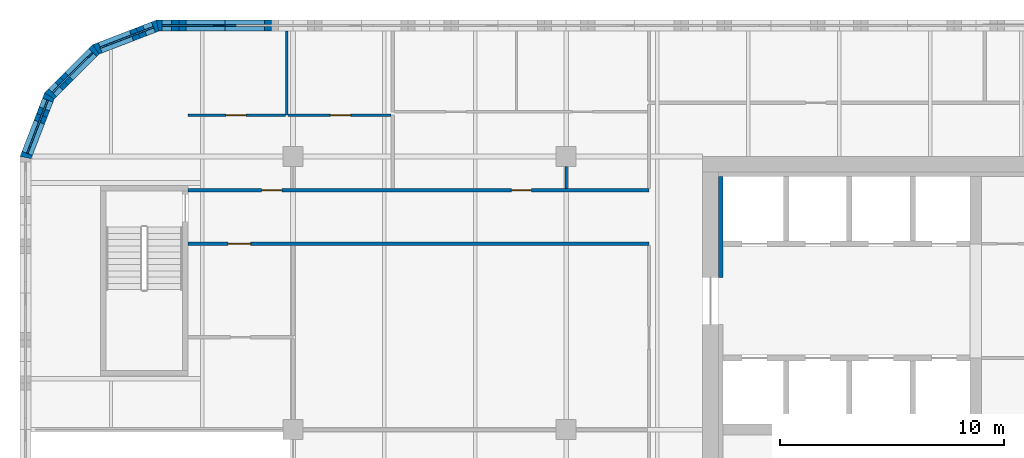
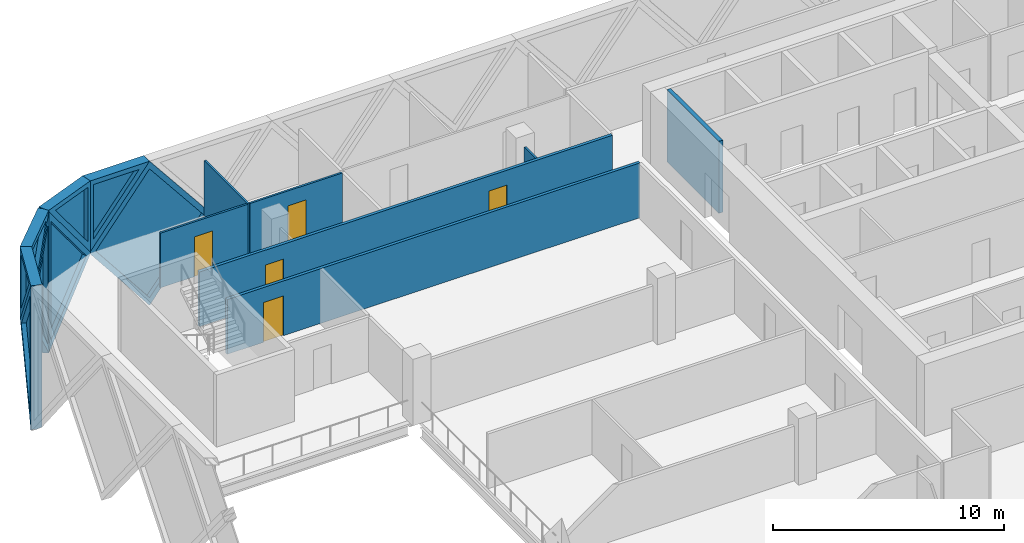
# One storey, part 10 of 15: 15 walls, 8 plates, 5 doors, 13 openings.
"""IFC4 building model written with IfcOpenShell, lengths in metres."""

import ifcopenshell
import ifcopenshell.guid

model = None  # the IFC model being written
_history = None  # IfcOwnerHistory: only IFC2X3 demands one
_inside = {}  # id of a spatial element -> (the spatial element, [elements in it])
_under = {}  # id of a project, library or spatial element -> (it, [spatial elements below it])
_declared = {}  # id of a project -> (the project, [libraries it declares])
_typed = {}  # id of a type object -> (the type object, [elements of that type])
_made_of = {}  # id of a material, layer set ... -> (it, [elements and type objects made of it])


def new_model(schema):
    """Start an empty IFC model of exactly this schema.

    Asked for "IFC4X3", IfcOpenShell would pick the latest addendum, in which some entities
    have other attributes; the version numbers below select the first issue.
    IFC2X3 requires an IfcOwnerHistory on every rooted entity: one is made here for all.
    """
    global model, _history
    if schema == "IFC4X3":
        model = ifcopenshell.file(schema_version=(4, 3, 0, 0))
    else:
        model = ifcopenshell.file(schema=schema)
    _inside.clear()
    _under.clear()
    _declared.clear()
    _typed.clear()
    _made_of.clear()
    _history = None
    if model.schema == "IFC2X3":
        org = make("IfcOrganization", Name="unknown")
        user = make(
            "IfcPersonAndOrganization",
            ThePerson=make("IfcPerson", FamilyName="unknown"),
            TheOrganization=org,
        )
        app = make(
            "IfcApplication",
            ApplicationDeveloper=org,
            Version="unknown",
            ApplicationFullName="unknown",
            ApplicationIdentifier="unknown",
        )
        _history = make(
            "IfcOwnerHistory",
            OwningUser=user,
            OwningApplication=app,
            ChangeAction="ADDED",
            CreationDate=0,
        )
    return model


def make(cls, **values):
    """One entity of the class cls with the attributes given. An attribute that is None is left unset."""
    return model.create_entity(
        cls, **{name: value for name, value in values.items() if value is not None}
    )


def rooted(cls, **values):
    """An entity with a GlobalId (a new one), such as an element, a storey or a relation."""
    return make(cls, GlobalId=ifcopenshell.guid.new(), OwnerHistory=_history, **values)


def si_unit(unit_type, name, prefix=None):
    """IfcSIUnit, for example si_unit("LENGTHUNIT", "METRE", prefix="MILLI")."""
    return make("IfcSIUnit", UnitType=unit_type, Prefix=prefix, Name=name)


def assignment(units):
    """IfcUnitAssignment: the units of a project."""
    return None if units is None else make("IfcUnitAssignment", Units=units)


def point(xyz):
    """IfcCartesianPoint."""
    return None if xyz is None else make("IfcCartesianPoint", Coordinates=xyz)


def direction(xyz):
    """IfcDirection."""
    return None if xyz is None else make("IfcDirection", DirectionRatios=xyz)


def frame(location, z_axis=None, x_axis=None):
    """IfcAxis2Placement3D, a coordinate frame: its origin and axes. An axis left out is left unset."""
    return make(
        "IfcAxis2Placement3D",
        Location=point(location),
        Axis=direction(z_axis),
        RefDirection=direction(x_axis),
    )


def frame_2d(location, x_axis=None):
    """IfcAxis2Placement2D, a coordinate frame in the plane: its origin and x axis."""
    return make(
        "IfcAxis2Placement2D", Location=point(location), RefDirection=direction(x_axis)
    )


def origin():
    """The frame at (0, 0, 0) with its axes left unset."""
    return frame((0.0, 0.0, 0.0))


def place(relative_to, where):
    """IfcLocalPlacement: puts the frame where relative to a parent placement (None: the world)."""
    return make(
        "IfcLocalPlacement", PlacementRelTo=relative_to, RelativePlacement=where
    )


def context(
    kind, dimensions, precision=None, world=None, true_north=None, identifier=None
):
    """IfcGeometricRepresentationContext, for example the 3D "Model" context."""
    return make(
        "IfcGeometricRepresentationContext",
        ContextIdentifier=identifier,
        ContextType=kind,
        CoordinateSpaceDimension=dimensions,
        Precision=precision,
        WorldCoordinateSystem=world,
        TrueNorth=true_north,
    )


def subcontext(parent, identifier, kind, view, scale=None):
    """IfcGeometricRepresentationSubContext, for example "Body" below "Model"."""
    return make(
        "IfcGeometricRepresentationSubContext",
        ContextIdentifier=identifier,
        ContextType=kind,
        ParentContext=parent,
        TargetScale=scale,
        TargetView=view,
    )


def project(units=None, contexts=None):
    """IfcProject with its units and contexts."""
    return rooted(
        "IfcProject",
        Name="project",
        RepresentationContexts=contexts,
        UnitsInContext=assignment(units),
    )


def spatial(cls, under=None, at=None, **own):
    """A site, building, storey or space (cls), placed at a placement, below another one or the project."""
    s = rooted(cls, ObjectPlacement=at, **own)
    if under is not None:
        _under.setdefault(under.id(), (under, []))[1].append(s)
    return s


def polyline(points):
    """IfcPolyline through the points."""
    return make("IfcPolyline", Points=[point(p) for p in points])


def profile(cls, at=None, kind="AREA", **sizes):
    """A parametric profile (cls). Its sizes go by their IFC names, for example OverallWidth=200.0."""
    return make(cls, ProfileType=kind, Position=at, **sizes)


def rectangle(**sizes):
    """IfcRectangleProfileDef."""
    return profile("IfcRectangleProfileDef", **sizes)


def outline(outer, holes=None, kind="AREA"):
    """IfcArbitraryClosedProfileDef: a profile drawn as a closed curve; with holes, ...WithVoids."""
    if holes is None:
        return make("IfcArbitraryClosedProfileDef", ProfileType=kind, OuterCurve=outer)
    return make(
        "IfcArbitraryProfileDefWithVoids",
        ProfileType=kind,
        OuterCurve=outer,
        InnerCurves=holes,
    )


def extrude(swept, where, along, depth):
    """IfcExtrudedAreaSolid: the profile swept, set in the frame where, extruded along a direction by depth."""
    return make(
        "IfcExtrudedAreaSolid",
        SweptArea=swept,
        Position=where,
        ExtrudedDirection=direction(along),
        Depth=depth,
    )


def faces_of(points, faces, orient=None, outer=None):
    """IfcFace entities. A face is a list of loops; a loop is a list of indices into points, from 0.

    orient and outer hold one flag for each loop. By default every Orientation is true, the
    first loop of a face is its IfcFaceOuterBound and the others are IfcFaceBound.
    """
    made = []
    for i, loops in enumerate(faces):
        bounds = []
        for j, loop in enumerate(loops):
            is_outer = j == 0 if outer is None else outer[i][j]
            bounds.append(
                make(
                    "IfcFaceOuterBound" if is_outer else "IfcFaceBound",
                    Bound=make("IfcPolyLoop", Polygon=[points[k] for k in loop]),
                    Orientation=True if orient is None else orient[i][j],
                )
            )
        made.append(make("IfcFace", Bounds=bounds))
    return made


def faceted_brep(points, faces, orient=None, outer=None, voids=None):
    """IfcFacetedBrep: a solid bounded by flat faces; with voids (closed shells), ...WithVoids."""
    shared = [point(p) for p in points]
    hull = make("IfcClosedShell", CfsFaces=faces_of(shared, faces, orient, outer))
    if voids is None:
        return make("IfcFacetedBrep", Outer=hull)
    return make(
        "IfcFacetedBrepWithVoids",
        Outer=hull,
        Voids=[
            make(cls, CfsFaces=faces_of(shared, fs, o, b)) for cls, fs, o, b in voids
        ],
    )


def shape(context_of_items, identifier, shape_type, items):
    """IfcShapeRepresentation: the items that make up one representation, for example the "Body"."""
    return make(
        "IfcShapeRepresentation",
        ContextOfItems=context_of_items,
        RepresentationIdentifier=identifier,
        RepresentationType=shape_type,
        Items=items,
    )


def source(mapping_origin, context_of_items, identifier, shape_type, items):
    """IfcRepresentationMap: a shape defined once, which mapped items show again and again."""
    return make(
        "IfcRepresentationMap",
        MappingOrigin=mapping_origin,
        MappedRepresentation=shape(context_of_items, identifier, shape_type, items),
    )


def transform(
    local_origin,
    x_axis=None,
    y_axis=None,
    z_axis=None,
    scale=None,
    scale2=None,
    scale3=None,
    uniform=True,
):
    """IfcCartesianTransformationOperator3D, or its non-uniform kind. x_axis, y_axis, z_axis: its Axis1, 2, 3."""
    if uniform:
        return make(
            "IfcCartesianTransformationOperator3D",
            Axis1=direction(x_axis),
            Axis2=direction(y_axis),
            LocalOrigin=point(local_origin),
            Scale=scale,
            Axis3=direction(z_axis),
        )
    return make(
        "IfcCartesianTransformationOperator3DnonUniform",
        Axis1=direction(x_axis),
        Axis2=direction(y_axis),
        LocalOrigin=point(local_origin),
        Scale=scale,
        Axis3=direction(z_axis),
        Scale2=scale2,
        Scale3=scale3,
    )


def mapped(mapping_source, mapping_target):
    """IfcMappedItem: shows the shape of a source again, moved by a transform."""
    return make(
        "IfcMappedItem", MappingSource=mapping_source, MappingTarget=mapping_target
    )


def material(Name=None, Category=None):
    """IfcMaterial."""
    return make("IfcMaterial", Name=Name, Category=Category)


def layer(
    of_material, thickness, ventilated=None, Name=None, Category=None, Priority=None
):
    """IfcMaterialLayer: one layer of a wall or slab, of a material (None: an air gap)."""
    return make(
        "IfcMaterialLayer",
        Material=of_material,
        LayerThickness=thickness,
        IsVentilated=ventilated,
        Name=Name,
        Category=Category,
        Priority=Priority,
    )


def layer_set(layers, Name=None):
    """IfcMaterialLayerSet."""
    return make("IfcMaterialLayerSet", MaterialLayers=layers, LayerSetName=Name)


def made_of(thing, what):
    """Note that an element or type object is made of a material, layer set ...; save() writes the relation."""
    if what is not None:
        _made_of.setdefault(what.id(), (what, []))[1].append(thing)
    return thing


def type_object(cls, material=None, **own):
    """A type object (cls), such as IfcWallType, which elements share."""
    return made_of(rooted(cls, **own), material)


def element(
    cls,
    number,
    at=None,
    inside=None,
    cuts=None,
    type_object=None,
    material=None,
    context=None,
    identifier="Body",
    shape_type=None,
    held_by="IfcProductDefinitionShape",
    body=None,
    shapes=None,
    **own,
):
    """One element of the class cls, such as IfcWall. Its Tag is "e" and its number.

    at: its placement. inside: the storey or other place that contains it. cuts: it is an
    opening in that element (IfcRelVoidsElement). A single representation is given by context,
    identifier, shape_type and body (its items); several are given by shapes. held_by: the class
    of the entity that holds the representations. save() writes the other relations.
    """
    e = rooted(cls, Tag="e%d" % number, ObjectPlacement=at, **own)
    if body is not None:
        shapes = [shape(context, identifier, shape_type, body)]
    if shapes is not None:
        e.Representation = make(held_by, Representations=shapes)
    if inside is not None:
        _inside.setdefault(inside.id(), (inside, []))[1].append(e)
    if cuts is not None:
        rooted(
            "IfcRelVoidsElement", RelatingBuildingElement=cuts, RelatedOpeningElement=e
        )
    if type_object is not None:
        _typed.setdefault(type_object.id(), (type_object, []))[1].append(e)
    return made_of(e, material)


def fill(opening, filler):
    """IfcRelFillsElement: the door or window that sits in an opening."""
    return rooted(
        "IfcRelFillsElement",
        RelatingOpeningElement=opening,
        RelatedBuildingElement=filler,
    )


def aggregate(whole, parts):
    """IfcRelAggregates: a whole, such as a stair, and the parts it consists of."""
    return rooted("IfcRelAggregates", RelatingObject=whole, RelatedObjects=parts)


def save(model, path):
    """Write the relations noted so far, then the file.

    IfcRelAggregates (storeys below a building ...), IfcRelContainedInSpatialStructure (elements
    in a storey), IfcRelDefinesByType, IfcRelAssociatesMaterial and IfcRelDeclares: one each for
    every whole, place, type object, material and project.
    """
    for whole, parts in _under.values():
        aggregate(whole, parts)
    for where, things in _inside.values():
        rooted(
            "IfcRelContainedInSpatialStructure",
            RelatedElements=things,
            RelatingStructure=where,
        )
    for kind, things in _typed.values():
        rooted("IfcRelDefinesByType", RelatedObjects=things, RelatingType=kind)
    for what, things in _made_of.values():
        rooted("IfcRelAssociatesMaterial", RelatedObjects=things, RelatingMaterial=what)
    for by, libraries in _declared.values():
        rooted("IfcRelDeclares", RelatingContext=by, RelatedDefinitions=libraries)
    model.write(path)


model = new_model("IFC4")

# Units and contexts
model_context = context("Model", 3, precision=1e-05, world=origin(), true_north=direction((0.0, 1.0)))
body_context = subcontext(model_context, "Body", "Model", "MODEL_VIEW")
ifc_project = project(units=[si_unit("LENGTHUNIT", "METRE"), si_unit("AREAUNIT", "SQUARE_METRE"), si_unit("VOLUMEUNIT", "CUBIC_METRE"), si_unit("PLANEANGLEUNIT", "RADIAN"), si_unit("MASSUNIT", "GRAM", prefix="KILO")], contexts=[model_context])

# Site, building, storey
site_placement = place(None, origin())
site = spatial("IfcSite", under=ifc_project, at=site_placement, CompositionType="ELEMENT")
building_placement = place(site_placement, origin())
building = spatial("IfcBuilding", under=site, at=building_placement, Name="Tessera Gate Towers", CompositionType="ELEMENT")
storey_placement = place(building_placement, frame((0.0, 0.0, 146.800048828125)))
storey = spatial("IfcBuildingStorey", under=building, at=storey_placement, Name="L36", CompositionType="ELEMENT", Elevation=146.800048828125)

# Wall
ifc_material_1 = material(Name="Concrete C60/75", Category="concrete")
ifc_layer_1 = layer(ifc_material_1, 0.199951171875)
ifc_layer_set_1 = layer_set([ifc_layer_1], Name="CORE WALL THICKENING 200")
wall_type_1 = type_object("IfcWallType", Name="CORE WALL THICKENING 200", PredefinedType="SOLIDWALL", material=ifc_layer_set_1)
wall_1_placement = place(storey_placement, frame((31.300048828125, 43.39990234375, 0.0), z_axis=(0.0, 0.0, 1.0), x_axis=(0.0, 1.0, 0.0)))
element("IfcWall", 1, at=wall_1_placement, inside=storey, type_object=wall_type_1, Name="Core wall thickening W L36", PredefinedType="SOLIDWALL", context=body_context, shape_type="SweptSolid", body=[
    extrude(rectangle(XDim=4.5, YDim=0.199951171875, at=frame_2d((2.25, 0.0))), origin(), (0.0, 0.0, 1.0), 3.800048828125),
])

# Wall, opening, door
ifc_material_2 = material(Name="Gypsum board on steel studs, mineral wool", Category="steel")
ifc_layer_2 = layer(ifc_material_2, 0.14990234375)
ifc_layer_set_2 = layer_set([ifc_layer_2], Name="CORRIDOR WALL 150")
wall_type_2 = type_object("IfcWallType", Name="CORRIDOR WALL 150", PredefinedType="PARTITIONING", material=ifc_layer_set_2)
wall_2_placement = place(storey_placement, frame((28.10009765625, 44.89990234375, 0.0), z_axis=(0.0, 0.0, 1.0), x_axis=(-1.0, 0.0, 0.0)))
wall_2 = element("IfcWall", 2, at=wall_2_placement, inside=storey, type_object=wall_type_2, Name="T1-L36-PW-040", PredefinedType="PARTITIONING", context=body_context, shape_type="SweptSolid", body=[
    extrude(rectangle(XDim=20.60009765625, YDim=0.14990234375, at=frame_2d((10.300048828125, 0.0))), origin(), (0.0, 0.0, 1.0), 2.887939453125),
])
shared_shape_1 = source(origin(), body_context, "Body", "SweptSolid", [
    extrude(rectangle(XDim=1.0, YDim=2.10009765625, at=frame_2d((0.5, 1.050048828125))), frame((0.0, 0.0849609375, 0.0), z_axis=(0.0, -1.0, 0.0), x_axis=(1.0, 0.0, 0.0)), (0.0, 0.0, 1.0), 0.169921875),
])
opening_1_placement = place(wall_2_placement, frame((17.800048828125, 0.0, 0.0)))
opening_1 = element("IfcOpeningElement", 3, at=opening_1_placement, cuts=wall_2, Name="Opening D2100FD60-A13-01", PredefinedType="OPENING", context=body_context, shape_type="MappedRepresentation", body=[
    mapped(shared_shape_1, transform((0.0, 0.0, 0.0), scale=1.0)),
])
ifc_material_3 = material(Name="Timber door leaf in steel frame", Category="steel")
door_type_1 = type_object("IfcDoorType", Name="TENANCY ENTRANCE DOOR 1000 FD60", OperationType="NOTDEFINED", PredefinedType="DOOR", material=ifc_material_3)
shared_shape_2 = source(origin(), body_context, "Body", "SweptSolid", [
    extrude(rectangle(XDim=1.0, YDim=2.10009765625, at=frame_2d((0.5, 1.050048828125))), frame((0.0, 0.02490234375, 0.0), z_axis=(0.0, -1.0, 0.0), x_axis=(1.0, 0.0, 0.0)), (0.0, 0.0, 1.0), 0.050048828125),
])
door_1_placement = place(opening_1_placement, origin())
door_1 = element("IfcDoor", 4, at=door_1_placement, inside=storey, type_object=door_type_1, Name="T1-L36-PD-006", OperationType="SINGLE_SWING_RIGHT", OverallHeight=2.10009765625, OverallWidth=1.0, PredefinedType="DOOR", context=body_context, shape_type="MappedRepresentation", body=[
    mapped(shared_shape_2, transform((0.0, 0.0, 0.0), scale=1.0)),
])
fill(opening_1, door_1)

# Wall, openings, doors
wall_3_placement = place(storey_placement, frame((7.5, 47.300048828125, 0.0), z_axis=(0.0, 0.0, 1.0), x_axis=(1.0, 0.0, 0.0)))
wall_3 = element("IfcWall", 5, at=wall_3_placement, inside=storey, type_object=wall_type_2, Name="T1-L36-PW-041", PredefinedType="PARTITIONING", context=body_context, shape_type="SweptSolid", body=[
    extrude(rectangle(XDim=20.60009765625, YDim=0.14990234375, at=frame_2d((10.300048828125, 0.0))), origin(), (0.0, 0.0, 1.0), 2.887939453125),
])
shared_shape_3 = source(origin(), body_context, "Body", "SweptSolid", [
    extrude(rectangle(XDim=0.89990234375, YDim=2.10009765625, at=frame_2d((0.449951171875, 1.050048828125))), frame((0.0, 0.0849609375, 0.0), z_axis=(0.0, -1.0, 0.0), x_axis=(1.0, 0.0, 0.0)), (0.0, 0.0, 1.0), 0.169921875),
])
opening_2_placement = place(wall_3_placement, frame((3.300048828125, 0.0, 0.0)))
opening_2 = element("IfcOpeningElement", 6, at=opening_2_placement, cuts=wall_3, Name="Opening D890FD60-A13-05", PredefinedType="OPENING", context=body_context, shape_type="MappedRepresentation", body=[
    mapped(shared_shape_3, transform((0.0, 0.0, 0.0), scale=1.0)),
])
opening_3_placement = place(wall_3_placement, frame((14.449951171875, 0.0, 0.0)))
opening_3 = element("IfcOpeningElement", 7, at=opening_3_placement, cuts=wall_3, Name="Opening D890FD60-A13-06", PredefinedType="OPENING", context=body_context, shape_type="MappedRepresentation", body=[
    mapped(shared_shape_3, transform((0.0, 0.0, 0.0), scale=1.0)),
])
ifc_material_4 = material(Name="Timber door leaf in steel frame", Category="steel")
door_type_2 = type_object("IfcDoorType", Name="CORRIDOR DOOR 900 FD60", OperationType="NOTDEFINED", PredefinedType="DOOR", material=ifc_material_4)
shared_shape_4 = source(origin(), body_context, "Body", "SweptSolid", [
    extrude(rectangle(XDim=0.89990234375, YDim=2.10009765625, at=frame_2d((0.449951171875, 1.050048828125))), frame((0.0, 0.02490234375, 0.0), z_axis=(0.0, -1.0, 0.0), x_axis=(1.0, 0.0, 0.0)), (0.0, 0.0, 1.0), 0.050048828125),
])
door_2_placement = place(opening_2_placement, origin())
door_2 = element("IfcDoor", 8, at=door_2_placement, inside=storey, type_object=door_type_2, Name="T1-L36-PD-024", OperationType="SINGLE_SWING_RIGHT", OverallHeight=2.10009765625, OverallWidth=0.89990234375, PredefinedType="DOOR", context=body_context, shape_type="MappedRepresentation", body=[
    mapped(shared_shape_4, transform((0.0, 0.0, 0.0), scale=1.0)),
])
fill(opening_2, door_2)
door_3_placement = place(opening_3_placement, origin())
door_3 = element("IfcDoor", 9, at=door_3_placement, inside=storey, type_object=door_type_2, Name="T1-L36-PD-026", OperationType="SINGLE_SWING_LEFT", OverallHeight=2.10009765625, OverallWidth=0.89990234375, PredefinedType="DOOR", context=body_context, shape_type="MappedRepresentation", body=[
    mapped(shared_shape_4, transform((0.0, 0.0, 0.0), scale=1.0)),
])
fill(opening_3, door_3)

# Wall, opening, door
ifc_material_5 = material(Name="Glass", Category="glass")
ifc_layer_3 = layer(ifc_material_5, 0.10009765625)
ifc_layer_set_3 = layer_set([ifc_layer_3], Name="GLAZED PARTITION 100")
wall_type_3 = type_object("IfcWallType", Name="GLAZED PARTITION 100", PredefinedType="PARTITIONING", material=ifc_layer_set_3)
wall_4_placement = place(storey_placement, frame((7.5, 50.64990234375, 0.0), z_axis=(0.0, 0.0, 1.0), x_axis=(1.0, 0.0, 0.0)))
wall_4 = element("IfcWall", 10, at=wall_4_placement, inside=storey, type_object=wall_type_3, Name="T1-L36-PW-046", PredefinedType="PARTITIONING", context=body_context, shape_type="SweptSolid", body=[
    extrude(rectangle(XDim=4.369384765625, YDim=0.10009765625, at=frame_2d((2.1845703125, 0.0))), origin(), (0.0, 0.0, 1.0), 2.887939453125),
])
shared_shape_5 = source(origin(), body_context, "Body", "SweptSolid", [
    extrude(rectangle(XDim=0.89990234375, YDim=2.10009765625, at=frame_2d((0.449951171875, 1.050048828125))), frame((0.0, 0.06005859375, 0.0), z_axis=(0.0, -1.0, 0.0), x_axis=(1.0, 0.0, 0.0)), (0.0, 0.0, 1.0), 0.1201171875),
])
opening_4_placement = place(wall_4_placement, frame((1.699951171875, 0.0, 0.0)))
opening_4 = element("IfcOpeningElement", 11, at=opening_4_placement, cuts=wall_4, Name="Opening D690-A13-01", PredefinedType="OPENING", context=body_context, shape_type="MappedRepresentation", body=[
    mapped(shared_shape_5, transform((0.0, 0.0, 0.0), scale=1.0)),
])
ifc_material_6 = material(Name="Glass in aluminium frame", Category="aluminium")
door_type_3 = type_object("IfcDoorType", Name="GLAZED DOOR 900 NOT RATED", OperationType="NOTDEFINED", PredefinedType="DOOR", material=ifc_material_6)
door_4_placement = place(opening_4_placement, origin())
door_4 = element("IfcDoor", 12, at=door_4_placement, inside=storey, type_object=door_type_3, Name="T1-L36-PD-003", OperationType="SINGLE_SWING_LEFT", OverallHeight=2.10009765625, OverallWidth=0.89990234375, PredefinedType="DOOR", context=body_context, shape_type="MappedRepresentation", body=[
    mapped(shared_shape_4, transform((0.0, 0.0, 0.0), scale=1.0)),
])
fill(opening_4, door_4)

wall_5_placement = place(storey_placement, frame((11.97119140625, 50.64990234375, 0.0), z_axis=(0.0, 0.0, 1.0), x_axis=(1.0, 0.0, 0.0)))
wall_5 = element("IfcWall", 13, at=wall_5_placement, inside=storey, type_object=wall_type_3, Name="T1-L36-PW-048", PredefinedType="PARTITIONING", context=body_context, shape_type="SweptSolid", body=[
    extrude(rectangle(XDim=4.602783203125, YDim=0.10009765625, at=frame_2d((2.30126953125, 0.0))), origin(), (0.0, 0.0, 1.0), 2.887939453125),
])
opening_5_placement = place(wall_5_placement, frame((1.89990234375, 0.0, 0.0)))
opening_5 = element("IfcOpeningElement", 14, at=opening_5_placement, cuts=wall_5, Name="Opening D690-A13-02", PredefinedType="OPENING", context=body_context, shape_type="MappedRepresentation", body=[
    mapped(shared_shape_5, transform((0.0, 0.0, 0.0), scale=1.0)),
])
door_5_placement = place(opening_5_placement, origin())
door_5 = element("IfcDoor", 15, at=door_5_placement, inside=storey, type_object=door_type_3, Name="T1-L36-PD-005", OperationType="SINGLE_SWING_LEFT", OverallHeight=2.10009765625, OverallWidth=0.89990234375, PredefinedType="DOOR", context=body_context, shape_type="MappedRepresentation", body=[
    mapped(shared_shape_4, transform((0.0, 0.0, 0.0), scale=1.0)),
])
fill(opening_5, door_5)

# Walls
ifc_material_7 = material(Name="Gypsum board on steel studs", Category="steel")
ifc_layer_4 = layer(ifc_material_7, 0.10009765625)
ifc_layer_set_4 = layer_set([ifc_layer_4], Name="PARTITION 100")
wall_type_4 = type_object("IfcWallType", Name="PARTITION 100", PredefinedType="PARTITIONING", material=ifc_layer_set_4)
wall_6_placement = place(storey_placement, frame((24.39990234375, 48.35009765625, 0.0), z_axis=(0.0, 0.0, 1.0), x_axis=(0.0, -1.0, 0.0)))
element("IfcWall", 16, at=wall_6_placement, inside=storey, type_object=wall_type_4, Name="T1-L36-PW-045", PredefinedType="PARTITIONING", context=body_context, shape_type="SweptSolid", body=[
    extrude(rectangle(XDim=0.97509765625, YDim=0.10009765625, at=frame_2d((0.487548828125, 0.0))), origin(), (0.0, 0.0, 1.0), 2.887939453125),
])
wall_7_placement = place(storey_placement, frame((11.919921875, 50.64990234375, 0.0), z_axis=(0.0, 0.0, 1.0), x_axis=(0.0, 1.0, 0.0)))
element("IfcWall", 17, at=wall_7_placement, inside=storey, type_object=wall_type_4, Name="T1-L36-PW-047", PredefinedType="PARTITIONING", context=body_context, shape_type="SweptSolid", body=[
    extrude(rectangle(XDim=3.75, YDim=0.10009765625, at=frame_2d((1.875, 0.0))), origin(), (0.0, 0.0, 1.0), 2.887939453125),
])

# Wall, opening, plate
ifc_material_8 = material(Name="Precast concrete C60/75 white", Category="concrete")
ifc_layer_5 = layer(ifc_material_8, 0.5)
ifc_layer_set_5 = layer_set([ifc_layer_5], Name="TS1 tessera")
wall_type_5 = type_object("IfcWallType", Name="TS1 tessera", PredefinedType="SOLIDWALL", material=ifc_layer_set_5)
shared_shape_6 = source(origin(), body_context, "Body", "Brep", [
    faceted_brep([(3.050048828125, -0.25, 0.0), (6.053466796875, -0.25, 3.800048828125), (3.050048828125, -0.25, 7.60009765625), (0.0, -0.25, 3.800048828125), (0.0, 0.25, 3.800048828125), (3.050048828125, 0.25, 7.60009765625), (6.0068359375, 0.25, 3.85888671875), (6.0068359375, 0.25, 3.7412109375), (3.050048828125, 0.25, 0.0), (6.053466796875, 0.0, 3.800048828125)], [[[0, 1, 2, 3]], [[4, 5, 6, 7, 8]], [[8, 7, 9, 1, 0]], [[6, 5, 2, 1, 9]], [[5, 4, 3, 2]], [[4, 8, 0, 3]], [[9, 7, 6]]]),
])
wall_8_placement = place(storey_placement, frame((12.199951171875, 54.64990234375, -3.800048828125), z_axis=(0.0, 0.0, 1.0), x_axis=(-1.0, 0.0, 0.0)))
wall_8 = element("IfcWall", 18, at=wall_8_placement, inside=storey, type_object=wall_type_5, Name="Precast tessera T1 TS1-0638", PredefinedType="SOLIDWALL", context=body_context, shape_type="MappedRepresentation", body=[
    mapped(shared_shape_6, transform((0.0, 0.0, 0.0), scale=1.0)),
])
shared_shape_7 = source(origin(), body_context, "Body", "SweptSolid", [
    extrude(outline(polyline([(3.048583984375, 0.4013671875), (5.73486328125, 3.800048828125), (3.048583984375, 7.19873046875), (0.320556640625, 3.800048828125), (3.048583984375, 0.4013671875)])), frame((0.0, 0.260009765625, 0.0), z_axis=(0.0, -1.0, 0.0), x_axis=(1.0, 0.0, 0.0)), (0.0, 0.0, 1.0), 0.52001953125),
])
opening_6_placement = place(wall_8_placement, origin())
opening_6 = element("IfcOpeningElement", 19, at=opening_6_placement, cuts=wall_8, Name="Opening T1-PL2-1294", PredefinedType="OPENING", context=body_context, shape_type="MappedRepresentation", body=[
    mapped(shared_shape_7, transform((0.0, 0.0, 0.0), scale=1.0)),
])
ifc_material_9 = material(Name="Low-e laminated glass", Category="glass")
ifc_layer_6 = layer(ifc_material_9, 0.06005859375)
ifc_layer_set_6 = layer_set([ifc_layer_6], Name="PL2 rhombic pane")
plate_type_1 = type_object("IfcPlateType", Name="PL2 rhombic pane", PredefinedType="SHEET", material=ifc_layer_set_6)
shared_shape_8 = source(origin(), body_context, "Body", "SweptSolid", [
    extrude(outline(polyline([(3.048583984375, 0.4013671875), (5.73486328125, 3.800048828125), (3.048583984375, 7.19873046875), (0.320556640625, 3.800048828125), (3.048583984375, 0.4013671875)])), frame((0.0, 0.030029296875, 0.0), z_axis=(0.0, -1.0, 0.0), x_axis=(1.0, 0.0, 0.0)), (0.0, 0.0, 1.0), 0.06005859375),
])
plate_1_placement = place(opening_6_placement, origin())
plate_1 = element("IfcPlate", 20, at=plate_1_placement, inside=storey, type_object=plate_type_1, Name="Glass pane T1 PL2-1294", PredefinedType="SHEET", context=body_context, shape_type="MappedRepresentation", body=[
    mapped(shared_shape_8, transform((0.0, 0.0, 0.0), scale=1.0)),
])
fill(opening_6, plate_1)

ifc_material_10 = material(Name="Precast concrete C60/75 white", Category="concrete")
ifc_layer_7 = layer(ifc_material_10, 0.5)
ifc_layer_set_7 = layer_set([ifc_layer_7], Name="TS3 corner tessera")
wall_type_6 = type_object("IfcWallType", Name="TS3 corner tessera", PredefinedType="SOLIDWALL", material=ifc_layer_set_7)
shared_shape_9 = source(origin(), body_context, "Body", "Brep", [
    faceted_brep([(2.950439453125, -0.25, 0.0), (3.00341796875, -0.25, 0.068359375), (3.00341796875, -0.25, 7.53173828125), (2.950439453125, -0.25, 7.60009765625), (0.0, -0.25, 3.800048828125), (0.046630859375, 0.25, 3.860107421875), (2.897705078125, 0.25, 7.531982421875), (2.897705078125, 0.25, 0.068115234375), (0.046630859375, 0.25, 3.739990234375), (2.950439453125, 0.00048828125, 0.0), (2.950439453125, 0.00048828125, 7.60009765625), (0.0, 0.0, 3.800048828125)], [[[0, 1, 2, 3, 4]], [[5, 6, 7, 8]], [[1, 0, 9]], [[10, 3, 2]], [[6, 5, 11, 4, 3, 10]], [[8, 7, 9, 0, 4, 11]], [[8, 11, 5]], [[1, 9, 7, 6, 10, 2]]]),
])
wall_9_placement = place(storey_placement, frame((6.146484375, 54.64990234375, -3.800048828125), z_axis=(0.0, 0.0, 1.0), x_axis=(-0.932997369089, -0.359883188373, 0.0)))
wall_9 = element("IfcWall", 21, at=wall_9_placement, inside=storey, type_object=wall_type_6, Name="Precast corner tessera T1 TS3-0825", PredefinedType="SOLIDWALL", context=body_context, shape_type="MappedRepresentation", body=[
    mapped(shared_shape_9, transform((0.0, 0.0, 0.0), scale=1.0)),
])
shared_shape_10 = source(origin(), body_context, "Body", "SweptSolid", [
    extrude(outline(polyline([(2.75048828125, 6.934814453125), (0.31640625, 3.800048828125), (2.75048828125, 0.665283203125), (2.75048828125, 6.934814453125)])), frame((0.0, 0.260009765625, 0.0), z_axis=(0.0, -1.0, 0.0), x_axis=(1.0, 0.0, 0.0)), (0.0, 0.0, 1.0), 0.52001953125),
])
opening_7_placement = place(wall_9_placement, origin())
opening_7 = element("IfcOpeningElement", 22, at=opening_7_placement, cuts=wall_9, Name="Opening T1-PL2-1295", PredefinedType="OPENING", context=body_context, shape_type="MappedRepresentation", body=[
    mapped(shared_shape_10, transform((0.0, 0.0, 0.0), scale=1.0)),
])
shared_shape_11 = source(origin(), body_context, "Body", "SweptSolid", [
    extrude(outline(polyline([(2.75048828125, 6.934814453125), (0.31640625, 3.800048828125), (2.75048828125, 0.665283203125), (2.75048828125, 6.934814453125)])), frame((0.0, 0.030029296875, 0.0), z_axis=(0.0, -1.0, 0.0), x_axis=(1.0, 0.0, 0.0)), (0.0, 0.0, 1.0), 0.06005859375),
])
plate_2_placement = place(opening_7_placement, origin())
plate_2 = element("IfcPlate", 23, at=plate_2_placement, inside=storey, type_object=plate_type_1, Name="Glass pane T1 PL2-1295", PredefinedType="SHEET", context=body_context, shape_type="MappedRepresentation", body=[
    mapped(shared_shape_11, transform((0.0, 0.0, 0.0), scale=1.0)),
])
fill(opening_7, plate_2)

shared_shape_12 = source(origin(), body_context, "Body", "Brep", [
    faceted_brep([(0.052978515625, -0.25, 0.0), (2.9970703125, -0.25, 3.800048828125), (0.052978515625, -0.25, 7.60009765625), (0.0, -0.25, 7.531982421875), (0.0, -0.25, 0.068115234375), (0.10595703125, 0.25, 7.53173828125), (2.944091796875, 0.25, 3.8681640625), (2.944091796875, 0.25, 3.73193359375), (0.10595703125, 0.25, 0.068359375), (2.9970703125, 0.000244140625, 3.800048828125), (0.052978515625, 0.0, 0.0), (0.052978515625, 0.0, 7.60009765625)], [[[0, 1, 2, 3, 4]], [[5, 6, 7, 8]], [[8, 7, 9, 1, 0, 10]], [[6, 5, 11, 2, 1, 9]], [[3, 2, 11]], [[10, 0, 4]], [[8, 10, 4, 3, 11, 5]], [[9, 7, 6]]]),
])
wall_10_placement = place(storey_placement, frame((3.43115234375, 53.62548828125, -3.800048828125), z_axis=(0.0, 0.0, 1.0), x_axis=(-0.707106781187, -0.707106781187, 0.0)))
wall_10 = element("IfcWall", 24, at=wall_10_placement, inside=storey, type_object=wall_type_6, Name="Precast corner tessera T1 TS3-0826", PredefinedType="SOLIDWALL", context=body_context, shape_type="MappedRepresentation", body=[
    mapped(shared_shape_12, transform((0.0, 0.0, 0.0), scale=1.0)),
])
shared_shape_13 = source(origin(), body_context, "Body", "SweptSolid", [
    extrude(outline(polyline([(0.2529296875, 0.666259765625), (2.680908203125, 3.800048828125), (0.2529296875, 6.93359375), (0.2529296875, 0.666259765625)])), frame((0.0, 0.260009765625, 0.0), z_axis=(0.0, -1.0, 0.0), x_axis=(1.0, 0.0, 0.0)), (0.0, 0.0, 1.0), 0.52001953125),
])
opening_8_placement = place(wall_10_placement, origin())
opening_8 = element("IfcOpeningElement", 25, at=opening_8_placement, cuts=wall_10, Name="Opening T1-PL2-1296", PredefinedType="OPENING", context=body_context, shape_type="MappedRepresentation", body=[
    mapped(shared_shape_13, transform((0.0, 0.0, 0.0), scale=1.0)),
])
shared_shape_14 = source(origin(), body_context, "Body", "SweptSolid", [
    extrude(outline(polyline([(0.2529296875, 0.666259765625), (2.680908203125, 3.800048828125), (0.2529296875, 6.93359375), (0.2529296875, 0.666259765625)])), frame((0.0, 0.030029296875, 0.0), z_axis=(0.0, -1.0, 0.0), x_axis=(1.0, 0.0, 0.0)), (0.0, 0.0, 1.0), 0.06005859375),
])
plate_3_placement = place(opening_8_placement, origin())
plate_3 = element("IfcPlate", 26, at=plate_3_placement, inside=storey, type_object=plate_type_1, Name="Glass pane T1 PL2-1296", PredefinedType="SHEET", context=body_context, shape_type="MappedRepresentation", body=[
    mapped(shared_shape_14, transform((0.0, 0.0, 0.0), scale=1.0)),
])
fill(opening_8, plate_3)

shared_shape_15 = source(origin(), body_context, "Body", "Brep", [
    faceted_brep([(2.950439453125, -0.25, 0.0), (2.9970703125, -0.25, 0.05908203125), (2.9970703125, -0.25, 7.541015625), (2.950439453125, -0.25, 7.60009765625), (0.0, -0.25, 3.800048828125), (0.052978515625, 0.25, 3.8681640625), (2.904052734375, 0.25, 7.540283203125), (2.904052734375, 0.25, 0.059814453125), (0.052978515625, 0.25, 3.73193359375), (2.950439453125, 0.00048828125, 0.0), (2.950439453125, 0.00048828125, 7.60009765625), (0.0, 0.0, 3.800048828125)], [[[0, 1, 2, 3, 4]], [[5, 6, 7, 8]], [[1, 0, 9]], [[10, 3, 2]], [[6, 5, 11, 4, 3, 10]], [[8, 7, 9, 0, 4, 11]], [[8, 11, 5]], [[1, 9, 7, 6, 10, 2]]]),
])
wall_11_placement = place(storey_placement, frame((1.31201171875, 51.50634765625, -3.800048828125), z_axis=(0.0, 0.0, 1.0), x_axis=(-0.359944998003, -0.932973525033, 0.0)))
wall_11 = element("IfcWall", 27, at=wall_11_placement, inside=storey, type_object=wall_type_6, Name="Precast corner tessera T1 TS3-0827", PredefinedType="SOLIDWALL", context=body_context, shape_type="MappedRepresentation", body=[
    mapped(shared_shape_15, transform((0.0, 0.0, 0.0), scale=1.0)),
])
opening_9_placement = place(wall_11_placement, origin())
opening_9 = element("IfcOpeningElement", 28, at=opening_9_placement, cuts=wall_11, Name="Opening T1-PL2-1297", PredefinedType="OPENING", context=body_context, shape_type="MappedRepresentation", body=[
    mapped(shared_shape_10, transform((0.0, 0.0, 0.0), scale=1.0)),
])
plate_4_placement = place(opening_9_placement, origin())
plate_4 = element("IfcPlate", 29, at=plate_4_placement, inside=storey, type_object=plate_type_1, Name="Glass pane T1 PL2-1297", PredefinedType="SHEET", context=body_context, shape_type="MappedRepresentation", body=[
    mapped(shared_shape_11, transform((0.0, 0.0, 0.0), scale=1.0)),
])
fill(opening_9, plate_4)

shared_shape_16 = source(origin(), body_context, "Body", "Brep", [
    faceted_brep([(3.00341796875, -0.25, 0.0), (3.050048828125, -0.25, 0.06005859375), (3.050048828125, -0.25, 3.800048828125), (0.0, -0.25, 3.800048828125), (0.0, 0.25, 3.800048828125), (2.956787109375, 0.25, 3.800048828125), (2.956787109375, 0.25, 0.058837890625), (3.00341796875, 0.000244140625, 0.0)], [[[0, 1, 2, 3]], [[4, 5, 6]], [[1, 0, 7]], [[5, 4, 3, 2]], [[4, 6, 7, 0, 3]], [[1, 7, 6, 5, 2]]]),
])
wall_12_placement = place(storey_placement, frame((9.14990234375, 54.64990234375, 0.0), z_axis=(0.0, 0.0, 1.0), x_axis=(-1.0, 0.0, 0.0)))
wall_12 = element("IfcWall", 30, at=wall_12_placement, inside=storey, type_object=wall_type_6, Name="Precast corner tessera T1 TS3-0851", PredefinedType="SOLIDWALL", context=body_context, shape_type="MappedRepresentation", body=[
    mapped(shared_shape_16, transform((0.0, 0.0, 0.0), scale=1.0)),
])
shared_shape_17 = source(origin(), body_context, "Body", "SweptSolid", [
    extrude(outline(polyline([(2.803466796875, 3.550048828125), (0.516357421875, 3.550048828125), (2.803466796875, 0.65625), (2.803466796875, 3.550048828125)])), frame((0.0, 0.260009765625, 0.0), z_axis=(0.0, -1.0, 0.0), x_axis=(1.0, 0.0, 0.0)), (0.0, 0.0, 1.0), 0.52001953125),
])
opening_10_placement = place(wall_12_placement, origin())
opening_10 = element("IfcOpeningElement", 31, at=opening_10_placement, cuts=wall_12, Name="Opening T1-PL1-0356", PredefinedType="OPENING", context=body_context, shape_type="MappedRepresentation", body=[
    mapped(shared_shape_17, transform((0.0, 0.0, 0.0), scale=1.0)),
])
ifc_material_11 = material(Name="Low-e laminated glass", Category="glass")
ifc_layer_8 = layer(ifc_material_11, 0.06005859375)
ifc_layer_set_8 = layer_set([ifc_layer_8], Name="PL1 triangular pane")
plate_type_2 = type_object("IfcPlateType", Name="PL1 triangular pane", PredefinedType="SHEET", material=ifc_layer_set_8)
shared_shape_18 = source(origin(), body_context, "Body", "SweptSolid", [
    extrude(outline(polyline([(2.803466796875, 3.550048828125), (0.516357421875, 3.550048828125), (2.803466796875, 0.65625), (2.803466796875, 3.550048828125)])), frame((0.0, 0.030029296875, 0.0), z_axis=(0.0, -1.0, 0.0), x_axis=(1.0, 0.0, 0.0)), (0.0, 0.0, 1.0), 0.06005859375),
])
plate_5_placement = place(opening_10_placement, origin())
plate_5 = element("IfcPlate", 32, at=plate_5_placement, inside=storey, type_object=plate_type_2, Name="Glass pane T1 PL1-0356", PredefinedType="SHEET", context=body_context, shape_type="MappedRepresentation", body=[
    mapped(shared_shape_18, transform((0.0, 0.0, 0.0), scale=1.0)),
])
fill(opening_10, plate_5)

shared_shape_19 = source(origin(), body_context, "Body", "Brep", [
    faceted_brep([(0.046630859375, -0.25, 0.0), (2.9970703125, -0.25, 3.800048828125), (0.0, -0.25, 3.800048828125), (0.0, -0.25, 0.058837890625), (0.09326171875, 0.25, 3.800048828125), (2.9443359375, 0.25, 3.800048828125), (2.9443359375, 0.25, 3.73193359375), (0.09326171875, 0.25, 0.06005859375), (2.9970703125, 0.00048828125, 3.800048828125), (0.046630859375, 0.0, 0.0)], [[[0, 1, 2, 3]], [[4, 5, 6, 7]], [[7, 6, 8, 1, 0, 9]], [[5, 4, 2, 1, 8]], [[9, 0, 3]], [[7, 9, 3, 2, 4]], [[6, 5, 8]]]),
])
wall_13_placement = place(storey_placement, frame((6.18994140625, 54.666748046875, 0.0), z_axis=(0.0, 0.0, 1.0), x_axis=(-0.932990326376, -0.359901446078, 0.0)))
wall_13 = element("IfcWall", 33, at=wall_13_placement, inside=storey, type_object=wall_type_6, Name="Precast corner tessera T1 TS3-0852", PredefinedType="SOLIDWALL", context=body_context, shape_type="MappedRepresentation", body=[
    mapped(shared_shape_19, transform((0.0, 0.0, 0.0), scale=1.0)),
])
shared_shape_20 = source(origin(), body_context, "Body", "SweptSolid", [
    extrude(outline(polyline([(0.24658203125, 0.665283203125), (2.486572265625, 3.550048828125), (0.24658203125, 3.550048828125), (0.24658203125, 0.665283203125)])), frame((0.0, 0.260009765625, 0.0), z_axis=(0.0, -1.0, 0.0), x_axis=(1.0, 0.0, 0.0)), (0.0, 0.0, 1.0), 0.52001953125),
])
opening_11_placement = place(wall_13_placement, origin())
opening_11 = element("IfcOpeningElement", 34, at=opening_11_placement, cuts=wall_13, Name="Opening T1-PL1-0357", PredefinedType="OPENING", context=body_context, shape_type="MappedRepresentation", body=[
    mapped(shared_shape_20, transform((0.0, 0.0, 0.0), scale=1.0)),
])
shared_shape_21 = source(origin(), body_context, "Body", "SweptSolid", [
    extrude(outline(polyline([(0.24658203125, 0.665283203125), (2.486572265625, 3.550048828125), (0.24658203125, 3.550048828125), (0.24658203125, 0.665283203125)])), frame((0.0, 0.030029296875, 0.0), z_axis=(0.0, -1.0, 0.0), x_axis=(1.0, 0.0, 0.0)), (0.0, 0.0, 1.0), 0.06005859375),
])
plate_6_placement = place(opening_11_placement, origin())
plate_6 = element("IfcPlate", 35, at=plate_6_placement, inside=storey, type_object=plate_type_2, Name="Glass pane T1 PL1-0357", PredefinedType="SHEET", context=body_context, shape_type="MappedRepresentation", body=[
    mapped(shared_shape_21, transform((0.0, 0.0, 0.0), scale=1.0)),
])
fill(opening_11, plate_6)

shared_shape_22 = source(origin(), body_context, "Body", "Brep", [
    faceted_brep([(0.052978515625, -0.25, 0.0), (3.00341796875, -0.25, 3.800048828125), (0.0, -0.25, 3.800048828125), (0.0, -0.25, 0.068359375), (0.10595703125, 0.25, 3.800048828125), (2.95703125, 0.25, 3.800048828125), (2.95703125, 0.25, 3.740234375), (0.10595703125, 0.25, 0.068115234375), (3.00341796875, 0.00048828125, 3.800048828125), (0.052978515625, 0.0, 0.0)], [[[0, 1, 2, 3]], [[4, 5, 6, 7]], [[7, 6, 8, 1, 0, 9]], [[5, 4, 2, 1, 8]], [[9, 0, 3]], [[7, 9, 3, 2, 4]], [[6, 5, 8]]]),
])
wall_14_placement = place(storey_placement, frame((1.3310546875, 51.5556640625, 0.0), z_axis=(0.0, 0.0, 1.0), x_axis=(-0.35992665181, -0.932980602862, 0.0)))
wall_14 = element("IfcWall", 36, at=wall_14_placement, inside=storey, type_object=wall_type_6, Name="Precast corner tessera T1 TS3-0854", PredefinedType="SOLIDWALL", context=body_context, shape_type="MappedRepresentation", body=[
    mapped(shared_shape_22, transform((0.0, 0.0, 0.0), scale=1.0)),
])
shared_shape_23 = source(origin(), body_context, "Body", "SweptSolid", [
    extrude(outline(polyline([(0.2529296875, 0.665283203125), (2.492919921875, 3.550048828125), (0.2529296875, 3.550048828125), (0.2529296875, 0.665283203125)])), frame((0.0, 0.260009765625, 0.0), z_axis=(0.0, -1.0, 0.0), x_axis=(1.0, 0.0, 0.0)), (0.0, 0.0, 1.0), 0.52001953125),
])
opening_12_placement = place(wall_14_placement, origin())
opening_12 = element("IfcOpeningElement", 37, at=opening_12_placement, cuts=wall_14, Name="Opening T1-PL1-0359", PredefinedType="OPENING", context=body_context, shape_type="MappedRepresentation", body=[
    mapped(shared_shape_23, transform((0.0, 0.0, 0.0), scale=1.0)),
])
shared_shape_24 = source(origin(), body_context, "Body", "SweptSolid", [
    extrude(outline(polyline([(0.2529296875, 0.665283203125), (2.492919921875, 3.550048828125), (0.2529296875, 3.550048828125), (0.2529296875, 0.665283203125)])), frame((0.0, 0.030029296875, 0.0), z_axis=(0.0, -1.0, 0.0), x_axis=(1.0, 0.0, 0.0)), (0.0, 0.0, 1.0), 0.06005859375),
])
plate_7_placement = place(opening_12_placement, origin())
plate_7 = element("IfcPlate", 38, at=plate_7_placement, inside=storey, type_object=plate_type_2, Name="Glass pane T1 PL1-0359", PredefinedType="SHEET", context=body_context, shape_type="MappedRepresentation", body=[
    mapped(shared_shape_24, transform((0.0, 0.0, 0.0), scale=1.0)),
])
fill(opening_12, plate_7)

shared_shape_25 = source(origin(), body_context, "Body", "Brep", [
    faceted_brep([(2.944091796875, -0.25, 0.0), (2.9970703125, -0.25, 0.068115234375), (2.9970703125, -0.25, 3.800048828125), (0.0, -0.25, 3.800048828125), (0.052978515625, 0.25, 3.800048828125), (2.89111328125, 0.25, 3.800048828125), (2.89111328125, 0.25, 0.068115234375), (0.052978515625, 0.25, 3.731689453125), (2.944091796875, 0.000244140625, 0.0), (0.0, 0.0, 3.800048828125)], [[[0, 1, 2, 3]], [[4, 5, 6, 7]], [[1, 0, 8]], [[5, 4, 9, 3, 2]], [[7, 6, 8, 0, 3, 9]], [[7, 9, 4]], [[1, 8, 6, 5, 2]]]),
])
wall_15_placement = place(storey_placement, frame((3.393798828125, 53.588134765625, 0.0), z_axis=(0.0, 0.0, 1.0), x_axis=(-0.707106781187, -0.707106781187, 0.0)))
wall_15 = element("IfcWall", 39, at=wall_15_placement, inside=storey, type_object=wall_type_6, Name="Precast corner tessera T1 TS3-0853", PredefinedType="SOLIDWALL", context=body_context, shape_type="MappedRepresentation", body=[
    mapped(shared_shape_25, transform((0.0, 0.0, 0.0), scale=1.0)),
])
shared_shape_26 = source(origin(), body_context, "Body", "SweptSolid", [
    extrude(outline(polyline([(2.744140625, 3.550048828125), (0.510009765625, 3.550048828125), (2.744140625, 0.666259765625), (2.744140625, 3.550048828125)])), frame((0.0, 0.260009765625, 0.0), z_axis=(0.0, -1.0, 0.0), x_axis=(1.0, 0.0, 0.0)), (0.0, 0.0, 1.0), 0.52001953125),
])
opening_13_placement = place(wall_15_placement, origin())
opening_13 = element("IfcOpeningElement", 40, at=opening_13_placement, cuts=wall_15, Name="Opening T1-PL1-0358", PredefinedType="OPENING", context=body_context, shape_type="MappedRepresentation", body=[
    mapped(shared_shape_26, transform((0.0, 0.0, 0.0), scale=1.0)),
])
shared_shape_27 = source(origin(), body_context, "Body", "SweptSolid", [
    extrude(outline(polyline([(2.744140625, 3.550048828125), (0.510009765625, 3.550048828125), (2.744140625, 0.666259765625), (2.744140625, 3.550048828125)])), frame((0.0, 0.030029296875, 0.0), z_axis=(0.0, -1.0, 0.0), x_axis=(1.0, 0.0, 0.0)), (0.0, 0.0, 1.0), 0.06005859375),
])
plate_8_placement = place(opening_13_placement, origin())
plate_8 = element("IfcPlate", 41, at=plate_8_placement, inside=storey, type_object=plate_type_2, Name="Glass pane T1 PL1-0358", PredefinedType="SHEET", context=body_context, shape_type="MappedRepresentation", body=[
    mapped(shared_shape_27, transform((0.0, 0.0, 0.0), scale=1.0)),
])
fill(opening_13, plate_8)

save(model, "model.ifc")
